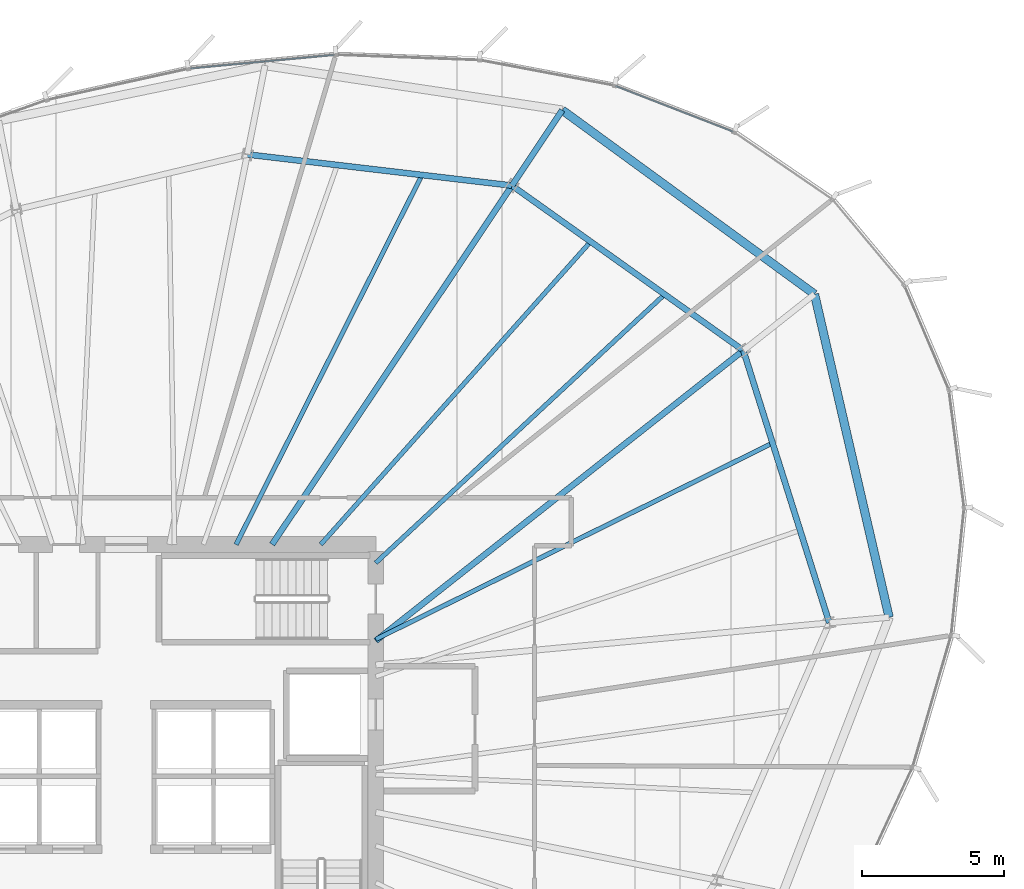
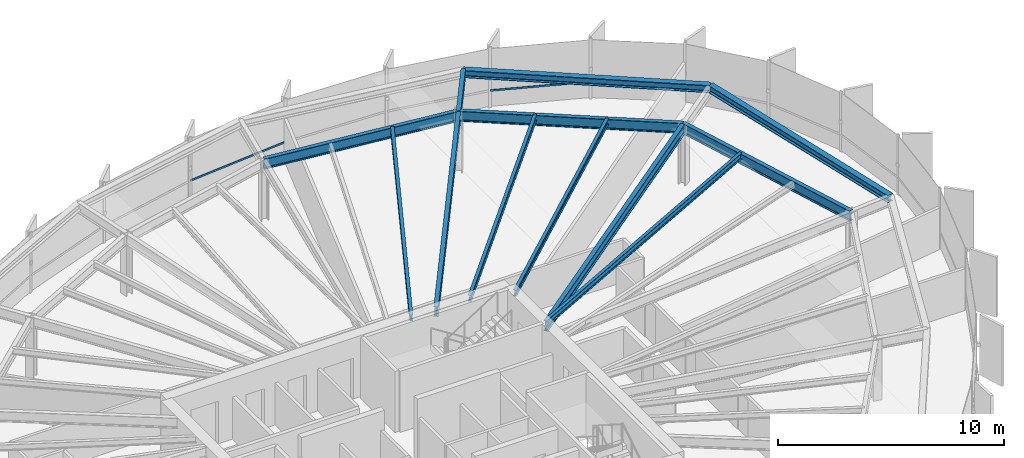
# One storey, part 22 of 32: 12 beams, 2 members, 1 element without a shape of its own.
"""IFC4 building model written with IfcOpenShell, lengths in metres."""

from ifc_helpers import new_model, si_unit, direction, frame, origin, origin_2d, place, context, subcontext, project, spatial, hollow_rectangle, i_section, extrude, source, transform, mapped, material, layer, layer_set, material_profile, profile_set, type_object, element, aggregate, save


model = new_model("IFC4")

# Units and contexts
model_context = context("Model", 3, precision=1e-05, world=origin(), true_north=direction((0.0, 1.0)))
body_context = subcontext(model_context, "Body", "Model", "MODEL_VIEW")
ifc_project = project(units=[si_unit("LENGTHUNIT", "METRE"), si_unit("AREAUNIT", "SQUARE_METRE"), si_unit("VOLUMEUNIT", "CUBIC_METRE"), si_unit("PLANEANGLEUNIT", "RADIAN"), si_unit("MASSUNIT", "GRAM", prefix="KILO"), si_unit("THERMODYNAMICTEMPERATUREUNIT", "KELVIN")], contexts=[model_context])

# Site, building, storey
site_placement = place(None, origin())
site = spatial("IfcSite", under=ifc_project, at=site_placement, CompositionType="ELEMENT")
building_placement = place(site_placement, origin())
building = spatial("IfcBuilding", under=site, at=building_placement, Name="Kethvar Cultural Tower", CompositionType="ELEMENT")
storey_placement = place(building_placement, frame((0.0, 0.0, 160.75)))
storey = spatial("IfcBuildingStorey", under=building, at=storey_placement, Name="L41", CompositionType="ELEMENT", Elevation=160.75)

# Beams
ifc_material_1 = material(Name="Steel S355J2", Category="steel")
ifc_material_profile_1 = material_profile(ifc_material_1, i_section(OverallWidth=0.2099609375, OverallDepth=0.550048828125, WebThickness=0.010986328125, FlangeThickness=0.01708984375, FilletRadius=0.02392578125, at=origin_2d()), Name="Steel S355J2 — IPE550")
ifc_profile_set_1 = profile_set([ifc_material_profile_1], Name="Steel S355J2 — IPE550")
beam_type_1 = type_object("IfcBeamType", Name="BM-IPE550", PredefinedType="BEAM", material=ifc_profile_set_1)
shared_shape_1 = source(origin(), body_context, "Body", "SweptSolid", [
    extrude(i_section(OverallWidth=0.2099609375, OverallDepth=0.550048828125, WebThickness=0.010986328125, FlangeThickness=0.01708984375, FilletRadius=0.02392578125, at=origin_2d()), origin(), (0.0, 0.0, 1.0), 3.199951171875),
])
beam_1_placement = place(storey_placement, frame((60.40478515625, 48.160888671875, 3.02294921875), z_axis=(0.555580212716, 0.831462943996, 0.0), x_axis=(-0.831462943996, 0.555580212716, 0.0)))
element("IfcBeam", 1, at=beam_1_placement, inside=storey, type_object=beam_type_1, Name="L41 Perimeter Cantilever Beam RC-03", PredefinedType="BEAM", context=body_context, shape_type="MappedRepresentation", body=[
    mapped(shared_shape_1, transform((0.0, 0.0, 0.0), scale=1.0)),
])
shared_shape_2 = source(origin(), body_context, "Body", "SweptSolid", [
    extrude(i_section(OverallWidth=0.2099609375, OverallDepth=0.550048828125, WebThickness=0.010986328125, FlangeThickness=0.01708984375, FilletRadius=0.02392578125, at=origin_2d()), origin(), (0.0, 0.0, 1.0), 16.527099609375),
])
beam_2_placement = place(storey_placement, frame((55.60009765625, 32.10009765625, 3.02294921875), z_axis=(0.784681939021, 0.619898584105, 0.0), x_axis=(-0.619898584105, 0.784681939021, 0.0)))
element("IfcBeam", 2, at=beam_2_placement, inside=storey, type_object=beam_type_1, Name="L41 Primary Radial Beam RB-02", PredefinedType="BEAM", context=body_context, shape_type="MappedRepresentation", body=[
    mapped(shared_shape_2, transform((0.0, 0.0, 0.0), scale=1.0)),
])
shared_shape_3 = source(origin(), body_context, "Body", "SweptSolid", [
    extrude(i_section(OverallWidth=0.2099609375, OverallDepth=0.550048828125, WebThickness=0.010986328125, FlangeThickness=0.01708984375, FilletRadius=0.02392578125, at=origin_2d()), origin(), (0.0, 0.0, 1.0), 15.22705078125),
])
beam_3_placement = place(storey_placement, frame((51.945068359375, 35.5, 3.02294921875), z_axis=(0.555569390778, 0.83147017507, 0.0), x_axis=(-0.83147017507, 0.555569390778, 0.0)))
element("IfcBeam", 3, at=beam_3_placement, inside=storey, type_object=beam_type_1, Name="L41 Primary Radial Beam RB-03", PredefinedType="BEAM", context=body_context, shape_type="MappedRepresentation", body=[
    mapped(shared_shape_3, transform((0.0, 0.0, 0.0), scale=1.0)),
])
shared_shape_4 = source(origin(), body_context, "Body", "SweptSolid", [
    extrude(i_section(OverallWidth=0.2099609375, OverallDepth=0.550048828125, WebThickness=0.010986328125, FlangeThickness=0.01708984375, FilletRadius=0.02392578125, at=origin_2d()), origin(), (0.0, 0.0, 1.0), 10.079345703125),
])
beam_4_placement = place(storey_placement, frame((71.6025390625, 32.7333984375, 3.02294921875), z_axis=(-0.301007326566, 0.953621827222, 0.0), x_axis=(-0.953621827222, -0.301007326566, 0.0)))
element("IfcBeam", 4, at=beam_4_placement, inside=storey, type_object=beam_type_1, Name="L41 Column Ring Tie Beam CR-01", PredefinedType="BEAM", context=body_context, shape_type="MappedRepresentation", body=[
    mapped(shared_shape_4, transform((0.0, 0.0, 0.0), scale=1.0)),
])
ifc_material_profile_2 = material_profile(ifc_material_1, i_section(OverallWidth=0.159912109375, OverallDepth=0.330078125, WebThickness=0.007568359375, FlangeThickness=0.011474609375, FilletRadius=0.01806640625, at=origin_2d()), Name="Steel S355J2 — IPE330")
ifc_profile_set_2 = profile_set([ifc_material_profile_2], Name="Steel S355J2 — IPE330")
beam_type_2 = type_object("IfcBeamType", Name="BM-J330", PredefinedType="JOIST", material=ifc_profile_set_2)
shared_shape_5 = source(origin(), body_context, "Body", "SweptSolid", [
    extrude(i_section(OverallWidth=0.159912109375, OverallDepth=0.330078125, WebThickness=0.007568359375, FlangeThickness=0.011474609375, FilletRadius=0.01806640625, at=origin_2d()), origin(), (0.0, 0.0, 1.0), 15.618896484375),
])
beam_5_placement = place(storey_placement, frame((55.60009765625, 32.152587890625, 3.133056640625), z_axis=(0.896344638992, 0.443357968408, 0.0), x_axis=(-0.443357968408, 0.896344638992, 0.0)))
element("IfcBeam", 5, at=beam_5_placement, inside=storey, type_object=beam_type_2, Name="L41 Composite Floor Joist J-01B", PredefinedType="JOIST", context=body_context, shape_type="MappedRepresentation", body=[
    mapped(shared_shape_5, transform((0.0, 0.0, 0.0), scale=1.0)),
])
shared_shape_6 = source(origin(), body_context, "Body", "SweptSolid", [
    extrude(i_section(OverallWidth=0.2099609375, OverallDepth=0.550048828125, WebThickness=0.010986328125, FlangeThickness=0.01708984375, FilletRadius=0.02392578125, at=origin_2d()), origin(), (0.0, 0.0, 1.0), 10.0234375),
])
beam_6_placement = place(storey_placement, frame((68.568603515625, 42.34521484375, 3.02294921875), z_axis=(-0.814470106239, 0.580205520521, 0.0), x_axis=(-0.580205520521, -0.814470106239, 0.0)))
element("IfcBeam", 6, at=beam_6_placement, inside=storey, type_object=beam_type_1, Name="L41 Column Ring Tie Beam CR-02", PredefinedType="BEAM", context=body_context, shape_type="MappedRepresentation", body=[
    mapped(shared_shape_6, transform((0.0, 0.0, 0.0), scale=1.0)),
])
shared_shape_7 = source(origin(), body_context, "Body", "SweptSolid", [
    extrude(i_section(OverallWidth=0.159912109375, OverallDepth=0.330078125, WebThickness=0.007568359375, FlangeThickness=0.011474609375, FilletRadius=0.01806640625, at=origin_2d()), origin(), (0.0, 0.0, 1.0), 13.91455078125),
])
beam_7_placement = place(storey_placement, frame((55.60009765625, 34.85009765625, 3.133056640625), z_axis=(0.732512843328, 0.680753211054, 0.0), x_axis=(-0.680753211054, 0.732512843328, 0.0)))
element("IfcBeam", 7, at=beam_7_placement, inside=storey, type_object=beam_type_2, Name="L41 Composite Floor Joist J-02A", PredefinedType="JOIST", context=body_context, shape_type="MappedRepresentation", body=[
    mapped(shared_shape_7, transform((0.0, 0.0, 0.0), scale=1.0)),
])
shared_shape_8 = source(origin(), body_context, "Body", "SweptSolid", [
    extrude(i_section(OverallWidth=0.159912109375, OverallDepth=0.330078125, WebThickness=0.007568359375, FlangeThickness=0.011474609375, FilletRadius=0.01806640625, at=origin_2d()), origin(), (0.0, 0.0, 1.0), 14.3095703125),
])
beam_8_placement = place(storey_placement, frame((53.660888671875, 35.5, 3.133056640625), z_axis=(0.665261381663, 0.746610537073, 0.0), x_axis=(-0.746610537073, 0.665261381663, 0.0)))
element("IfcBeam", 8, at=beam_8_placement, inside=storey, type_object=beam_type_2, Name="L41 Composite Floor Joist J-02B", PredefinedType="JOIST", context=body_context, shape_type="MappedRepresentation", body=[
    mapped(shared_shape_8, transform((0.0, 0.0, 0.0), scale=1.0)),
])
shared_shape_9 = source(origin(), body_context, "Body", "SweptSolid", [
    extrude(i_section(OverallWidth=0.2099609375, OverallDepth=0.550048828125, WebThickness=0.010986328125, FlangeThickness=0.01708984375, FilletRadius=0.02392578125, at=origin_2d()), origin(), (0.0, 0.0, 1.0), 9.400634765625),
])
beam_9_placement = place(storey_placement, frame((60.40478515625, 48.160888671875, 3.02294921875), z_axis=(-0.993150427046, 0.116842754407, 0.0), x_axis=(-0.116842754407, -0.993150427046, 0.0)))
element("IfcBeam", 9, at=beam_9_placement, inside=storey, type_object=beam_type_1, Name="L41 Column Ring Tie Beam CR-03", PredefinedType="BEAM", context=body_context, shape_type="MappedRepresentation", body=[
    mapped(shared_shape_9, transform((0.0, 0.0, 0.0), scale=1.0)),
])
shared_shape_10 = source(origin(), body_context, "Body", "SweptSolid", [
    extrude(i_section(OverallWidth=0.159912109375, OverallDepth=0.330078125, WebThickness=0.007568359375, FlangeThickness=0.011474609375, FilletRadius=0.01806640625, at=origin_2d()), origin(), (0.0, 0.0, 1.0), 14.590576171875),
])
beam_10_placement = place(storey_placement, frame((50.673583984375, 35.5, 3.133056640625), z_axis=(0.449394228778, 0.893333547529, 0.0), x_axis=(-0.893333547529, 0.449394228778, 0.0)))
element("IfcBeam", 10, at=beam_10_placement, inside=storey, type_object=beam_type_2, Name="L41 Composite Floor Joist J-03A", PredefinedType="JOIST", context=body_context, shape_type="MappedRepresentation", body=[
    mapped(shared_shape_10, transform((0.0, 0.0, 0.0), scale=1.0)),
])
ifc_material_profile_3 = material_profile(ifc_material_1, i_section(OverallWidth=0.300048828125, OverallDepth=0.39990234375, WebThickness=0.013427734375, FlangeThickness=0.02392578125, FilletRadius=0.027099609375, at=origin_2d()), Name="Steel S355J2 — HEB400")
ifc_profile_set_3 = profile_set([ifc_material_profile_3], Name="Steel S355J2 — HEB400")
beam_type_3 = type_object("IfcBeamType", Name="BM-SP400", PredefinedType="SPANDREL", material=ifc_profile_set_3)
shared_shape_11 = source(origin(), body_context, "Body", "SweptSolid", [
    extrude(i_section(OverallWidth=0.300048828125, OverallDepth=0.39990234375, WebThickness=0.013427734375, FlangeThickness=0.02392578125, FilletRadius=0.027099609375, at=origin_2d()), origin(), (0.0, 0.0, 1.0), 11.013916015625),
])
beam_11_placement = place(storey_placement, frame((71.07958984375, 44.3291015625, 3.097900390625), z_axis=(-0.807788950974, 0.589471806522, 0.0), x_axis=(-0.589471806522, -0.807788950974, 0.0)))
element("IfcBeam", 11, at=beam_11_placement, inside=storey, type_object=beam_type_3, Name="L41 Perimeter Spandrel Beam SP-02", PredefinedType="SPANDREL", context=body_context, shape_type="MappedRepresentation", body=[
    mapped(shared_shape_11, transform((0.0, 0.0, 0.0), scale=1.0)),
])
shared_shape_12 = source(origin(), body_context, "Body", "SweptSolid", [
    extrude(i_section(OverallWidth=0.300048828125, OverallDepth=0.39990234375, WebThickness=0.013427734375, FlangeThickness=0.02392578125, FilletRadius=0.027099609375, at=origin_2d()), origin(), (0.0, 0.0, 1.0), 11.699951171875),
])
beam_12_placement = place(storey_placement, frame((73.710693359375, 32.928955078125, 3.097900390625), z_axis=(-0.224883890564, 0.974385568328, 0.0), x_axis=(-0.974385568328, -0.224883890564, 0.0)))
element("IfcBeam", 12, at=beam_12_placement, inside=storey, type_object=beam_type_3, Name="L41 Perimeter Spandrel Beam SP-01", PredefinedType="SPANDREL", context=body_context, shape_type="MappedRepresentation", body=[
    mapped(shared_shape_12, transform((0.0, 0.0, 0.0), scale=1.0)),
])

# Curtain wall, members
ifc_material_2 = material(Name="Aluminium 6063-T6", Category="aluminium")
ifc_layer = layer(ifc_material_2, 0.179931640625, Name="Aluminium 6063-T6", Category="aluminium")
ifc_layer_set = layer_set([ifc_layer], Name="Aluminium 6063-T6 (180 mm)")
curtain_wall_type = type_object("IfcCurtainWallType", Name="CW-SYS-04-Z34", PredefinedType="NOTDEFINED", material=ifc_layer_set)
curtain_wall_placement = place(storey_placement, origin())
curtain_wall = element("IfcCurtainWall", 13, at=curtain_wall_placement, inside=storey, type_object=curtain_wall_type, Name="L41 Curtain Wall Run 01", PredefinedType="NOTDEFINED")
ifc_material_profile_4 = material_profile(ifc_material_2, hollow_rectangle(XDim=0.050048828125, YDim=0.10009765625, WallThickness=0.00390625, at=origin_2d()), Name="Aluminium 6063-T6 — RHS100x50x4")
ifc_profile_set_4 = profile_set([ifc_material_profile_4], Name="Aluminium 6063-T6 — RHS100x50x4")
member_type = type_object("IfcMemberType", Name="CW-SYS-04-Z34-TRN", PredefinedType="USERDEFINED", material=ifc_profile_set_4)
shared_shape_13 = source(origin(), body_context, "Body", "SweptSolid", [
    extrude(hollow_rectangle(XDim=0.050048828125, YDim=0.10009765625, WallThickness=0.00390625, at=origin_2d()), origin(), (0.0, 0.0, 1.0), 4.45703125),
])
member_1_placement = place(storey_placement, frame((68.208740234375, 50.0615234375, 0.949951171875), z_axis=(-0.932173156576, 0.362012715467, 0.0), x_axis=(-0.362012715467, -0.932173156576, 0.0)))
member_1 = element("IfcMember", 14, at=member_1_placement, type_object=member_type, Name="CW-L41-R01 Transom 3", ObjectType="TRANSOM", PredefinedType="USERDEFINED", context=body_context, shape_type="MappedRepresentation", body=[
    mapped(shared_shape_13, transform((0.0, 0.0, 0.0), scale=1.0)),
])
shared_shape_14 = source(origin(), body_context, "Body", "SweptSolid", [
    extrude(hollow_rectangle(XDim=0.050048828125, YDim=0.10009765625, WallThickness=0.00390625, at=origin_2d()), origin(), (0.0, 0.0, 1.0), 5.110107421875),
])
member_2_placement = place(storey_placement, frame((54.150146484375, 52.771728515625, 0.949951171875), z_axis=(-0.995597101846, -0.09373585651, 0.0), x_axis=(0.09373585651, -0.995597101846, 0.0)))
member_2 = element("IfcMember", 15, at=member_2_placement, type_object=member_type, Name="CW-L41-R01 Transom 6", ObjectType="TRANSOM", PredefinedType="USERDEFINED", context=body_context, shape_type="MappedRepresentation", body=[
    mapped(shared_shape_14, transform((0.0, 0.0, 0.0), scale=1.0)),
])
aggregate(curtain_wall, [member_1, member_2])

save(model, "model.ifc")
